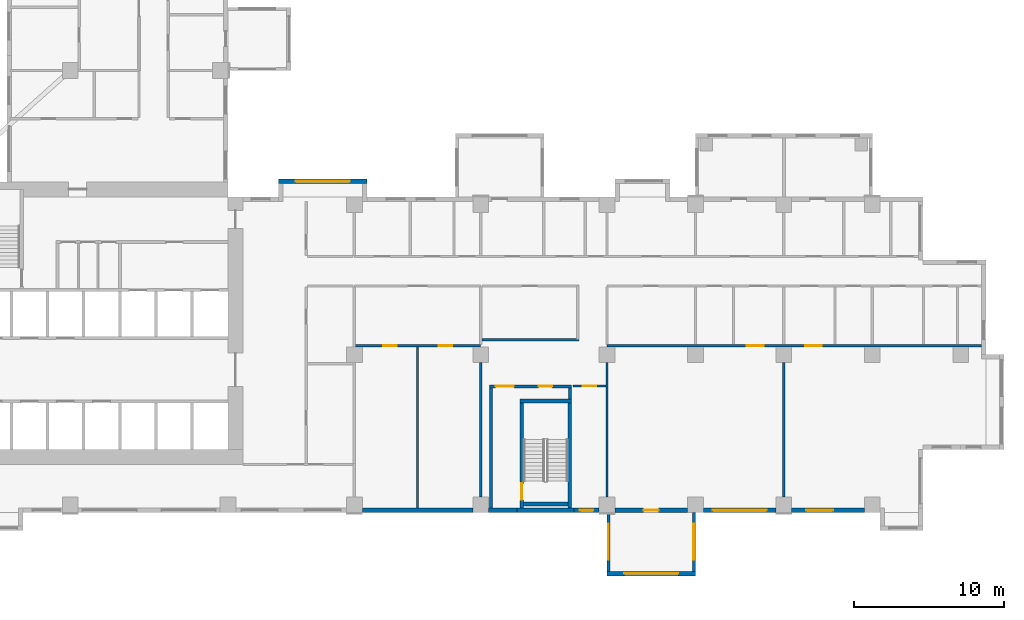
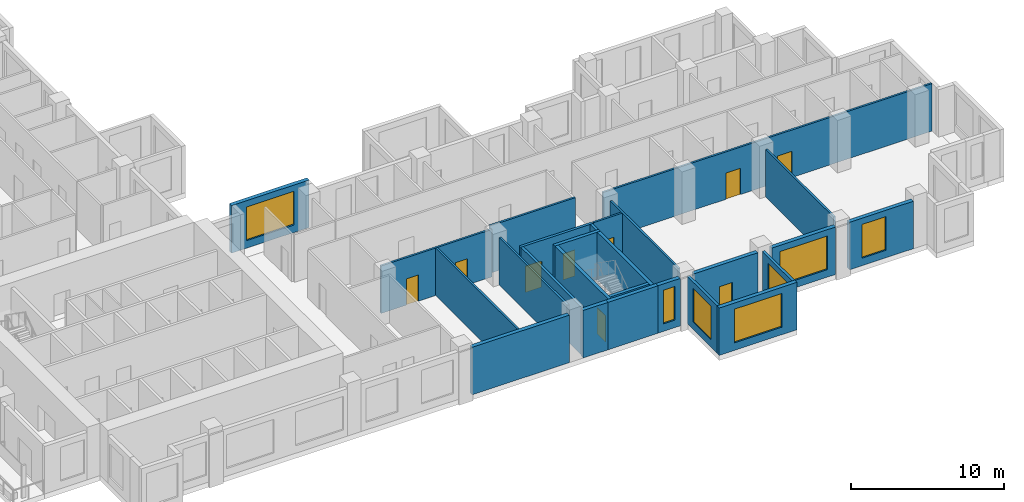
# One storey, part 4 of 15: 26 walls, 9 doors, 7 windows, 16 openings.
"""IFC4 building model written with IfcOpenShell, lengths in metres."""

from ifc_helpers import new_model, si_unit, direction, frame, frame_2d, origin, place, context, subcontext, project, spatial, rectangle, extrude, source, transform, mapped, material, layer, layer_set, type_object, element, fill, save


model = new_model("IFC4")

# Units and contexts
model_context = context("Model", 3, precision=1e-05, world=origin(), true_north=direction((0.0, 1.0)))
body_context = subcontext(model_context, "Body", "Model", "MODEL_VIEW")
ifc_project = project(units=[si_unit("LENGTHUNIT", "METRE"), si_unit("AREAUNIT", "SQUARE_METRE"), si_unit("VOLUMEUNIT", "CUBIC_METRE"), si_unit("PLANEANGLEUNIT", "RADIAN"), si_unit("MASSUNIT", "GRAM", prefix="KILO")], contexts=[model_context])

# Site, building, storey
site_placement = place(None, origin())
site = spatial("IfcSite", under=ifc_project, at=site_placement, CompositionType="ELEMENT")
building_placement = place(site_placement, origin())
building = spatial("IfcBuilding", under=site, at=building_placement, Name="Aurelian Terraces", CompositionType="ELEMENT")
storey_placement = place(building_placement, frame((0.0, 0.0, 120.3)))
storey = spatial("IfcBuildingStorey", under=building, at=storey_placement, Name="L26", CompositionType="ELEMENT", Elevation=120.3)

# Wall, opening, window
ifc_material_1 = material(Name="Terracotta rainscreen cladding", Category="masonry")
ifc_layer_1 = layer(ifc_material_1, 0.3)
ifc_layer_set_1 = layer_set([ifc_layer_1], Name="EW-300")
wall_type_1 = type_object("IfcWallType", Name="EW-300", PredefinedType="STANDARD", material=ifc_layer_set_1)
shared_shape_1 = source(origin(), body_context, "Body", "SweptSolid", [
    extrude(rectangle(XDim=5.88, YDim=0.3, at=frame_2d((2.94, 0.0))), origin(), (0.0, 0.0, 1.0), 3.8),
])
wall_1_placement = place(storey_placement, frame((30.24, 22.05, 0.0), z_axis=(0.0, 0.0, 1.0), x_axis=(-1.0, 0.0, 0.0)))
wall_1 = element("IfcWall", 1, at=wall_1_placement, inside=storey, type_object=wall_type_1, Name="Bay wall L26 F07.21", PredefinedType="STANDARD", context=body_context, shape_type="MappedRepresentation", body=[
    mapped(shared_shape_1, transform((0.0, 0.0, 0.0), scale=1.0)),
])
shared_shape_2 = source(origin(), body_context, "Body", "SweptSolid", [
    extrude(rectangle(XDim=3.6, YDim=2.7, at=frame_2d((1.8, 1.35))), frame((0.0, 0.16, 0.0), z_axis=(0.0, -1.0, 0.0), x_axis=(1.0, 0.0, 0.0)), (0.0, 0.0, 1.0), 0.32),
])
opening_1_placement = place(wall_1_placement, frame((1.14, 0.0, 0.6)))
opening_1 = element("IfcOpeningElement", 2, at=opening_1_placement, cuts=wall_1, Name="Opening W3627", PredefinedType="OPENING", context=body_context, shape_type="MappedRepresentation", body=[
    mapped(shared_shape_2, transform((0.0, 0.0, 0.0), scale=1.0)),
])
ifc_material_2 = material(Name="Clear glazing", Category="glass")
window_type_1 = type_object("IfcWindowType", Name="W-3600x2700", PartitioningType="SINGLE_PANEL", PredefinedType="WINDOW", material=ifc_material_2)
shared_shape_3 = source(origin(), body_context, "Body", "SweptSolid", [
    extrude(rectangle(XDim=3.6, YDim=2.7, at=frame_2d((1.8, 1.35))), frame((0.0, 0.03, 0.0), z_axis=(0.0, -1.0, 0.0), x_axis=(1.0, 0.0, 0.0)), (0.0, 0.0, 1.0), 0.06),
])
window_1_placement = place(opening_1_placement, origin())
window_1 = element("IfcWindow", 3, at=window_1_placement, inside=storey, type_object=window_type_1, Name="Window L26 L26-F07-21-0", OverallHeight=2.7, OverallWidth=3.6, PartitioningType="SINGLE_PANEL", PredefinedType="WINDOW", context=body_context, shape_type="MappedRepresentation", body=[
    mapped(shared_shape_3, transform((0.0, 0.0, 0.0), scale=1.0)),
])
fill(opening_1, window_1)

# Wall
ifc_material_3 = material(Name="Concrete fc' 40 MPa", Category="concrete")
ifc_layer_2 = layer(ifc_material_3, 0.3)
ifc_layer_set_2 = layer_set([ifc_layer_2], Name="STAIR BAY WALL 300")
wall_type_2 = type_object("IfcWallType", Name="STAIR BAY WALL 300", PredefinedType="SOLIDWALL", material=ifc_layer_set_2)
shared_shape_4 = source(origin(), body_context, "Body", "SweptSolid", [
    extrude(rectangle(XDim=3.8, YDim=0.3, at=frame_2d((1.9, 0.0))), origin(), (0.0, 0.0, 1.0), 3.8),
])
wall_2_placement = place(storey_placement, frame((40.2, 0.15, 0.0), z_axis=(0.0, 0.0, 1.0), x_axis=(1.0, 0.0, 0.0)))
element("IfcWall", 4, at=wall_2_placement, inside=storey, type_object=wall_type_2, Name="Stair bay wall L26 F01.6", PredefinedType="SOLIDWALL", context=body_context, shape_type="MappedRepresentation", body=[
    mapped(shared_shape_4, transform((0.0, 0.0, 0.0), scale=1.0)),
])

# Wall, opening, window
ifc_layer_3 = layer(ifc_material_3, 0.2)
ifc_layer_set_3 = layer_set([ifc_layer_3], Name="BOX BEARING WALL 200")
wall_type_3 = type_object("IfcWallType", Name="BOX BEARING WALL 200", PredefinedType="SOLIDWALL", material=ifc_layer_set_3)
shared_shape_5 = source(origin(), body_context, "Body", "SweptSolid", [
    extrude(rectangle(XDim=3.9, YDim=0.2, at=frame_2d((1.95, 0.0))), origin(), (0.0, 0.0, 1.0), 3.79),
])
wall_3_placement = place(storey_placement, frame((46.3, 0.0, 0.0), z_axis=(0.0, 0.0, 1.0), x_axis=(0.0, -1.0, 0.0)))
wall_3 = element("IfcWall", 5, at=wall_3_placement, inside=storey, type_object=wall_type_3, Name="Box return L26 J36.1", PredefinedType="SOLIDWALL", context=body_context, shape_type="MappedRepresentation", body=[
    mapped(shared_shape_5, transform((0.0, 0.0, 0.0), scale=1.0)),
])
shared_shape_6 = source(origin(), body_context, "Body", "SweptSolid", [
    extrude(rectangle(XDim=2.4, YDim=2.7, at=frame_2d((1.2, 1.35))), frame((0.0, 0.11, 0.0), z_axis=(0.0, -1.0, 0.0), x_axis=(1.0, 0.0, 0.0)), (0.0, 0.0, 1.0), 0.22),
])
opening_2_placement = place(wall_3_placement, frame((0.75, 0.0, 0.6)))
opening_2 = element("IfcOpeningElement", 6, at=opening_2_placement, cuts=wall_3, Name="Opening W2427", PredefinedType="OPENING", context=body_context, shape_type="MappedRepresentation", body=[
    mapped(shared_shape_6, transform((0.0, 0.0, 0.0), scale=1.0)),
])
window_type_2 = type_object("IfcWindowType", Name="W-2400x2700", PartitioningType="SINGLE_PANEL", PredefinedType="WINDOW", material=ifc_material_2)
shared_shape_7 = source(origin(), body_context, "Body", "SweptSolid", [
    extrude(rectangle(XDim=2.4, YDim=2.7, at=frame_2d((1.2, 1.35))), frame((0.0, 0.03, 0.0), z_axis=(0.0, -1.0, 0.0), x_axis=(1.0, 0.0, 0.0)), (0.0, 0.0, 1.0), 0.06),
])
window_2_placement = place(opening_2_placement, origin())
window_2 = element("IfcWindow", 7, at=window_2_placement, inside=storey, type_object=window_type_2, Name="Window L26 J36-S1", OverallHeight=2.7, OverallWidth=2.4, PartitioningType="SINGLE_PANEL", PredefinedType="WINDOW", context=body_context, shape_type="MappedRepresentation", body=[
    mapped(shared_shape_7, transform((0.0, 0.0, 0.0), scale=1.0)),
])
fill(opening_2, window_2)

wall_4_placement = place(storey_placement, frame((51.98, 0.0, 0.0), z_axis=(0.0, 0.0, 1.0), x_axis=(0.0, -1.0, 0.0)))
wall_4 = element("IfcWall", 8, at=wall_4_placement, inside=storey, type_object=wall_type_3, Name="Box return L26 J36.2", PredefinedType="SOLIDWALL", context=body_context, shape_type="MappedRepresentation", body=[
    mapped(shared_shape_5, transform((0.0, 0.0, 0.0), scale=1.0)),
])
opening_3_placement = place(wall_4_placement, frame((0.75, 0.0, 0.6)))
opening_3 = element("IfcOpeningElement", 9, at=opening_3_placement, cuts=wall_4, Name="Opening W2427", PredefinedType="OPENING", context=body_context, shape_type="MappedRepresentation", body=[
    mapped(shared_shape_6, transform((0.0, 0.0, 0.0), scale=1.0)),
])
window_3_placement = place(opening_3_placement, origin())
window_3 = element("IfcWindow", 10, at=window_3_placement, inside=storey, type_object=window_type_2, Name="Window L26 J36-S2", OverallHeight=2.7, OverallWidth=2.4, PartitioningType="SINGLE_PANEL", PredefinedType="WINDOW", context=body_context, shape_type="MappedRepresentation", body=[
    mapped(shared_shape_7, transform((0.0, 0.0, 0.0), scale=1.0)),
])
fill(opening_3, window_3)

ifc_layer_4 = layer(ifc_material_3, 0.3)
ifc_layer_set_4 = layer_set([ifc_layer_4], Name="BOX BEARING WALL 300")
wall_type_4 = type_object("IfcWallType", Name="BOX BEARING WALL 300", PredefinedType="SOLIDWALL", material=ifc_layer_set_4)
shared_shape_8 = source(origin(), body_context, "Body", "SweptSolid", [
    extrude(rectangle(XDim=5.88, YDim=0.3, at=frame_2d((2.94, 0.0))), origin(), (0.0, 0.0, 1.0), 3.79),
])
wall_5_placement = place(storey_placement, frame((46.2, -4.05, 0.0), z_axis=(0.0, 0.0, 1.0), x_axis=(1.0, 0.0, 0.0)))
wall_5 = element("IfcWall", 11, at=wall_5_placement, inside=storey, type_object=wall_type_4, Name="Box wall L26 J36", PredefinedType="SOLIDWALL", context=body_context, shape_type="MappedRepresentation", body=[
    mapped(shared_shape_8, transform((0.0, 0.0, 0.0), scale=1.0)),
])
opening_4_placement = place(wall_5_placement, frame((1.14, 0.0, 0.6)))
opening_4 = element("IfcOpeningElement", 12, at=opening_4_placement, cuts=wall_5, Name="Opening W3627", PredefinedType="OPENING", context=body_context, shape_type="MappedRepresentation", body=[
    mapped(shared_shape_2, transform((0.0, 0.0, 0.0), scale=1.0)),
])
window_4_placement = place(opening_4_placement, origin())
window_4 = element("IfcWindow", 13, at=window_4_placement, inside=storey, type_object=window_type_1, Name="Window L26 J36-F1", OverallHeight=2.7, OverallWidth=3.6, PartitioningType="SINGLE_PANEL", PredefinedType="WINDOW", context=body_context, shape_type="MappedRepresentation", body=[
    mapped(shared_shape_3, transform((0.0, 0.0, 0.0), scale=1.0)),
])
fill(opening_4, window_4)

# Wall
shared_shape_9 = source(origin(), body_context, "Body", "SweptSolid", [
    extrude(rectangle(XDim=7.35, YDim=0.3, at=frame_2d((3.675, 0.0))), origin(), (0.0, 0.0, 1.0), 3.8),
])
wall_6_placement = place(storey_placement, frame((29.925, 0.15, 0.0), z_axis=(0.0, 0.0, 1.0), x_axis=(1.0, 0.0, 0.0)))
element("IfcWall", 14, at=wall_6_placement, inside=storey, type_object=wall_type_1, Name="External wall L26 F01.5", PredefinedType="STANDARD", context=body_context, shape_type="MappedRepresentation", body=[
    mapped(shared_shape_9, transform((0.0, 0.0, 0.0), scale=1.0)),
])

# Wall, opening, door
shared_shape_10 = source(origin(), body_context, "Body", "SweptSolid", [
    extrude(rectangle(XDim=4.83, YDim=0.3, at=frame_2d((2.415, 0.0))), origin(), (0.0, 0.0, 1.0), 3.8),
])
wall_7_placement = place(storey_placement, frame((46.725, 0.15, 0.0), z_axis=(0.0, 0.0, 1.0), x_axis=(1.0, 0.0, 0.0)))
wall_7 = element("IfcWall", 15, at=wall_7_placement, inside=storey, type_object=wall_type_1, Name="External wall L26 F01.7", PredefinedType="STANDARD", context=body_context, shape_type="MappedRepresentation", body=[
    mapped(shared_shape_10, transform((0.0, 0.0, 0.0), scale=1.0)),
])
shared_shape_11 = source(origin(), body_context, "Body", "SweptSolid", [
    extrude(rectangle(XDim=1.0, YDim=2.1, at=frame_2d((0.5, 1.05))), frame((0.0, 0.16, 0.0), z_axis=(0.0, -1.0, 0.0), x_axis=(1.0, 0.0, 0.0)), (0.0, 0.0, 1.0), 0.32),
])
opening_5_placement = place(wall_7_placement, frame((1.915, 0.0, 0.0)))
opening_5 = element("IfcOpeningElement", 16, at=opening_5_placement, cuts=wall_7, Name="Opening 826001", PredefinedType="OPENING", context=body_context, shape_type="MappedRepresentation", body=[
    mapped(shared_shape_11, transform((0.0, 0.0, 0.0), scale=1.0)),
])
ifc_material_4 = material(Name="Timber door leaf", Category="wood")
door_type_1 = type_object("IfcDoorType", Name="Room door 1000x2100 left", OperationType="SINGLE_SWING_LEFT", PredefinedType="DOOR", material=ifc_material_4)
shared_shape_12 = source(origin(), body_context, "Body", "SweptSolid", [
    extrude(rectangle(XDim=1.0, YDim=2.1, at=frame_2d((0.5, 1.05))), frame((0.0, 0.025, 0.0), z_axis=(0.0, -1.0, 0.0), x_axis=(1.0, 0.0, 0.0)), (0.0, 0.0, 1.0), 0.05),
])
door_1_placement = place(opening_5_placement, origin())
door_1 = element("IfcDoor", 17, at=door_1_placement, inside=storey, type_object=door_type_1, Name="Door 826001", OperationType="SINGLE_SWING_LEFT", OverallHeight=2.1, OverallWidth=1.0, PredefinedType="DOOR", context=body_context, shape_type="MappedRepresentation", body=[
    mapped(shared_shape_12, transform((0.0, 0.0, 0.0), scale=1.0)),
])
fill(opening_5, door_1)

# Wall, opening, window
wall_8_placement = place(storey_placement, frame((52.605, 0.15, 0.0), z_axis=(0.0, 0.0, 1.0), x_axis=(1.0, 0.0, 0.0)))
wall_8 = element("IfcWall", 18, at=wall_8_placement, inside=storey, type_object=wall_type_1, Name="External wall L26 F01.8", PredefinedType="STANDARD", context=body_context, shape_type="MappedRepresentation", body=[
    mapped(shared_shape_10, transform((0.0, 0.0, 0.0), scale=1.0)),
])
opening_6_placement = place(wall_8_placement, frame((0.615, 0.0, 0.6)))
opening_6 = element("IfcOpeningElement", 19, at=opening_6_placement, cuts=wall_8, Name="Opening W3627", PredefinedType="OPENING", context=body_context, shape_type="MappedRepresentation", body=[
    mapped(shared_shape_2, transform((0.0, 0.0, 0.0), scale=1.0)),
])
window_5_placement = place(opening_6_placement, origin())
window_5 = element("IfcWindow", 20, at=window_5_placement, inside=storey, type_object=window_type_1, Name="Window L26 L26-F01-08-0", OverallHeight=2.7, OverallWidth=3.6, PartitioningType="SINGLE_PANEL", PredefinedType="WINDOW", context=body_context, shape_type="MappedRepresentation", body=[
    mapped(shared_shape_3, transform((0.0, 0.0, 0.0), scale=1.0)),
])
fill(opening_6, window_5)

wall_9_placement = place(storey_placement, frame((58.485, 0.15, 0.0), z_axis=(0.0, 0.0, 1.0), x_axis=(1.0, 0.0, 0.0)))
wall_9 = element("IfcWall", 21, at=wall_9_placement, inside=storey, type_object=wall_type_1, Name="External wall L26 F01.9", PredefinedType="STANDARD", context=body_context, shape_type="MappedRepresentation", body=[
    mapped(shared_shape_10, transform((0.0, 0.0, 0.0), scale=1.0)),
])
shared_shape_13 = source(origin(), body_context, "Body", "SweptSolid", [
    extrude(rectangle(XDim=1.8, YDim=2.7, at=frame_2d((0.9, 1.35))), frame((0.0, 0.16, 0.0), z_axis=(0.0, -1.0, 0.0), x_axis=(1.0, 0.0, 0.0)), (0.0, 0.0, 1.0), 0.32),
])
opening_7_placement = place(wall_9_placement, frame((0.9525, 0.0, 0.6)))
opening_7 = element("IfcOpeningElement", 22, at=opening_7_placement, cuts=wall_9, Name="Opening W1827", PredefinedType="OPENING", context=body_context, shape_type="MappedRepresentation", body=[
    mapped(shared_shape_13, transform((0.0, 0.0, 0.0), scale=1.0)),
])
window_type_3 = type_object("IfcWindowType", Name="W-1800x2700", PartitioningType="SINGLE_PANEL", PredefinedType="WINDOW", material=ifc_material_2)
shared_shape_14 = source(origin(), body_context, "Body", "SweptSolid", [
    extrude(rectangle(XDim=1.8, YDim=2.7, at=frame_2d((0.9, 1.35))), frame((0.0, 0.03, 0.0), z_axis=(0.0, -1.0, 0.0), x_axis=(1.0, 0.0, 0.0)), (0.0, 0.0, 1.0), 0.06),
])
window_6_placement = place(opening_7_placement, origin())
window_6 = element("IfcWindow", 23, at=window_6_placement, inside=storey, type_object=window_type_3, Name="Window L26 L26-F01-09-0", OverallHeight=2.7, OverallWidth=1.8, PartitioningType="SINGLE_PANEL", PredefinedType="WINDOW", context=body_context, shape_type="MappedRepresentation", body=[
    mapped(shared_shape_14, transform((0.0, 0.0, 0.0), scale=1.0)),
])
fill(opening_7, window_6)

shared_shape_15 = source(origin(), body_context, "Body", "SweptSolid", [
    extrude(rectangle(XDim=1.675, YDim=0.3, at=frame_2d((0.8375, 0.0))), origin(), (0.0, 0.0, 1.0), 3.8),
])
wall_10_placement = place(storey_placement, frame((44.0, 0.15, 0.0), z_axis=(0.0, 0.0, 1.0), x_axis=(1.0, 0.0, 0.0)))
wall_10 = element("IfcWall", 24, at=wall_10_placement, inside=storey, type_object=wall_type_1, Name="External wall L26 F01.6", PredefinedType="STANDARD", context=body_context, shape_type="MappedRepresentation", body=[
    mapped(shared_shape_15, transform((0.0, 0.0, 0.0), scale=1.0)),
])
shared_shape_16 = source(origin(), body_context, "Body", "SweptSolid", [
    extrude(rectangle(XDim=0.9, YDim=2.7, at=frame_2d((0.45, 1.35))), frame((0.0, 0.16, 0.0), z_axis=(0.0, -1.0, 0.0), x_axis=(1.0, 0.0, 0.0)), (0.0, 0.0, 1.0), 0.32),
])
opening_8_placement = place(wall_10_placement, frame((0.3875, 0.0, 0.6)))
opening_8 = element("IfcOpeningElement", 25, at=opening_8_placement, cuts=wall_10, Name="Opening W0927", PredefinedType="OPENING", context=body_context, shape_type="MappedRepresentation", body=[
    mapped(shared_shape_16, transform((0.0, 0.0, 0.0), scale=1.0)),
])
window_type_4 = type_object("IfcWindowType", Name="W-900x2700", PartitioningType="SINGLE_PANEL", PredefinedType="WINDOW", material=ifc_material_2)
shared_shape_17 = source(origin(), body_context, "Body", "SweptSolid", [
    extrude(rectangle(XDim=0.9, YDim=2.7, at=frame_2d((0.45, 1.35))), frame((0.0, 0.03, 0.0), z_axis=(0.0, -1.0, 0.0), x_axis=(1.0, 0.0, 0.0)), (0.0, 0.0, 1.0), 0.06),
])
window_7_placement = place(opening_8_placement, origin())
window_7 = element("IfcWindow", 26, at=window_7_placement, inside=storey, type_object=window_type_4, Name="Window L26 L26-F01-06-P2", OverallHeight=2.7, OverallWidth=0.9, PartitioningType="SINGLE_PANEL", PredefinedType="WINDOW", context=body_context, shape_type="MappedRepresentation", body=[
    mapped(shared_shape_17, transform((0.0, 0.0, 0.0), scale=1.0)),
])
fill(opening_8, window_7)

# Wall
shared_shape_18 = source(origin(), body_context, "Body", "SweptSolid", [
    extrude(rectangle(XDim=1.875, YDim=0.3, at=frame_2d((0.9375, 0.0))), origin(), (0.0, 0.0, 1.0), 3.8),
])
wall_11_placement = place(storey_placement, frame((38.325, 0.15, 0.0), z_axis=(0.0, 0.0, 1.0), x_axis=(1.0, 0.0, 0.0)))
element("IfcWall", 27, at=wall_11_placement, inside=storey, type_object=wall_type_1, Name="External wall L26 F01.6", PredefinedType="STANDARD", context=body_context, shape_type="MappedRepresentation", body=[
    mapped(shared_shape_18, transform((0.0, 0.0, 0.0), scale=1.0)),
])

# Wall, opening, door
ifc_layer_5 = layer(ifc_material_3, 0.25)
ifc_layer_set_5 = layer_set([ifc_layer_5], Name="Stair enclosure wall 250")
wall_type_5 = type_object("IfcWallType", Name="Stair enclosure wall 250", PredefinedType="SOLIDWALL", material=ifc_layer_set_5)
shared_shape_19 = source(origin(), body_context, "Body", "SweptSolid", [
    extrude(rectangle(XDim=7.0, YDim=0.25, at=frame_2d((3.5, 0.0))), origin(), (0.0, 0.0, 1.0), 3.8),
])
wall_12_placement = place(storey_placement, frame((40.525, 0.3, 0.0), z_axis=(0.0, 0.0, 1.0), x_axis=(0.0, 1.0, 0.0)))
wall_12 = element("IfcWall", 28, at=wall_12_placement, inside=storey, type_object=wall_type_5, Name="L26 core wall ST-S2-W", PredefinedType="SOLIDWALL", context=body_context, shape_type="MappedRepresentation", body=[
    mapped(shared_shape_19, transform((0.0, 0.0, 0.0), scale=1.0)),
])
shared_shape_20 = source(origin(), body_context, "Body", "SweptSolid", [
    extrude(rectangle(XDim=1.1, YDim=2.1, at=frame_2d((0.55, 1.05))), frame((0.0, 0.135, 0.0), z_axis=(0.0, -1.0, 0.0), x_axis=(1.0, 0.0, 0.0)), (0.0, 0.0, 1.0), 0.27),
])
opening_9_placement = place(wall_12_placement, frame((0.55, 0.0, 0.0)))
opening_9 = element("IfcOpeningElement", 29, at=opening_9_placement, cuts=wall_12, Name="Opening 62915", PredefinedType="OPENING", context=body_context, shape_type="MappedRepresentation", body=[
    mapped(shared_shape_20, transform((0.0, 0.0, 0.0), scale=1.0)),
])
ifc_material_5 = material(Name="Steel door leaf", Category="steel")
door_type_2 = type_object("IfcDoorType", Name="Core fire door 1100x2100", OperationType="SINGLE_SWING_LEFT", PredefinedType="DOOR", material=ifc_material_5)
shared_shape_21 = source(origin(), body_context, "Body", "SweptSolid", [
    extrude(rectangle(XDim=1.1, YDim=2.1, at=frame_2d((0.55, 1.05))), frame((0.0, 0.025, 0.0), z_axis=(0.0, -1.0, 0.0), x_axis=(1.0, 0.0, 0.0)), (0.0, 0.0, 1.0), 0.05),
])
door_2_placement = place(opening_9_placement, origin())
door_2 = element("IfcDoor", 30, at=door_2_placement, inside=storey, type_object=door_type_2, Name="Stair door 62915", OperationType="SINGLE_SWING_LEFT", OverallHeight=2.1, OverallWidth=1.1, PredefinedType="DOOR", context=body_context, shape_type="MappedRepresentation", body=[
    mapped(shared_shape_21, transform((0.0, 0.0, 0.0), scale=1.0)),
])
fill(opening_9, door_2)

# Walls
wall_13_placement = place(storey_placement, frame((43.725, 0.3, 0.0), z_axis=(0.0, 0.0, 1.0), x_axis=(0.0, 1.0, 0.0)))
element("IfcWall", 31, at=wall_13_placement, inside=storey, type_object=wall_type_5, Name="L26 core wall ST-S2-E", PredefinedType="SOLIDWALL", context=body_context, shape_type="MappedRepresentation", body=[
    mapped(shared_shape_19, transform((0.0, 0.0, 0.0), scale=1.0)),
])
shared_shape_22 = source(origin(), body_context, "Body", "SweptSolid", [
    extrude(rectangle(XDim=3.45, YDim=0.25, at=frame_2d((1.725, 0.0))), origin(), (0.0, 0.0, 1.0), 3.8),
])
wall_14_placement = place(storey_placement, frame((40.4, 7.425, 0.0), z_axis=(0.0, 0.0, 1.0), x_axis=(1.0, 0.0, 0.0)))
element("IfcWall", 32, at=wall_14_placement, inside=storey, type_object=wall_type_5, Name="L26 core wall ST-S2-N", PredefinedType="SOLIDWALL", context=body_context, shape_type="MappedRepresentation", body=[
    mapped(shared_shape_22, transform((0.0, 0.0, 0.0), scale=1.0)),
])
shared_shape_23 = source(origin(), body_context, "Body", "SweptSolid", [
    extrude(rectangle(XDim=2.95, YDim=0.25, at=frame_2d((1.475, 0.0))), origin(), (0.0, 0.0, 1.0), 3.8),
])
wall_15_placement = place(storey_placement, frame((40.65, 0.575, 0.0), z_axis=(0.0, 0.0, 1.0), x_axis=(1.0, 0.0, 0.0)))
element("IfcWall", 33, at=wall_15_placement, inside=storey, type_object=wall_type_5, Name="L26 core wall ST-S2-SS", PredefinedType="SOLIDWALL", context=body_context, shape_type="MappedRepresentation", body=[
    mapped(shared_shape_23, transform((0.0, 0.0, 0.0), scale=1.0)),
])
ifc_material_6 = material(Name="Gypsum board on steel studs", Category="steel")
ifc_layer_6 = layer(ifc_material_6, 0.2)
ifc_layer_set_6 = layer_set([ifc_layer_6], Name="Core partition 200")
wall_type_6 = type_object("IfcWallType", Name="Core partition 200", PredefinedType="PARTITIONING", material=ifc_layer_set_6)
shared_shape_24 = source(origin(), body_context, "Body", "SweptSolid", [
    extrude(rectangle(XDim=8.0, YDim=0.2, at=frame_2d((4.0, 0.0))), origin(), (0.0, 0.0, 1.0), 3.8),
])
wall_16_placement = place(storey_placement, frame((38.5, 0.3, 0.0), z_axis=(0.0, 0.0, 1.0), x_axis=(0.0, 1.0, 0.0)))
element("IfcWall", 34, at=wall_16_placement, inside=storey, type_object=wall_type_6, Name="L26 core wall ST-S2-VW", PredefinedType="PARTITIONING", context=body_context, shape_type="MappedRepresentation", body=[
    mapped(shared_shape_24, transform((0.0, 0.0, 0.0), scale=1.0)),
])

# Wall, openings, doors
shared_shape_25 = source(origin(), body_context, "Body", "SweptSolid", [
    extrude(rectangle(XDim=5.45, YDim=0.2, at=frame_2d((2.725, 0.0))), origin(), (0.0, 0.0, 1.0), 3.8),
])
wall_17_placement = place(storey_placement, frame((38.4, 8.4, 0.0), z_axis=(0.0, 0.0, 1.0), x_axis=(1.0, 0.0, 0.0)))
wall_17 = element("IfcWall", 35, at=wall_17_placement, inside=storey, type_object=wall_type_6, Name="L26 core wall ST-S2-BN", PredefinedType="PARTITIONING", context=body_context, shape_type="MappedRepresentation", body=[
    mapped(shared_shape_25, transform((0.0, 0.0, 0.0), scale=1.0)),
])
shared_shape_26 = source(origin(), body_context, "Body", "SweptSolid", [
    extrude(rectangle(XDim=1.2, YDim=2.1, at=frame_2d((0.6, 1.05))), frame((0.0, 0.11, 0.0), z_axis=(0.0, -1.0, 0.0), x_axis=(1.0, 0.0, 0.0)), (0.0, 0.0, 1.0), 0.22),
])
opening_10_placement = place(wall_17_placement, frame((0.4, 0.0, 0.0)))
opening_10 = element("IfcOpeningElement", 36, at=opening_10_placement, cuts=wall_17, Name="Opening 62916", PredefinedType="OPENING", context=body_context, shape_type="MappedRepresentation", body=[
    mapped(shared_shape_26, transform((0.0, 0.0, 0.0), scale=1.0)),
])
shared_shape_27 = source(origin(), body_context, "Body", "SweptSolid", [
    extrude(rectangle(XDim=0.9, YDim=2.1, at=frame_2d((0.45, 1.05))), frame((0.0, 0.11, 0.0), z_axis=(0.0, -1.0, 0.0), x_axis=(1.0, 0.0, 0.0)), (0.0, 0.0, 1.0), 0.22),
])
opening_11_placement = place(wall_17_placement, frame((3.25, 0.0, 0.0)))
opening_11 = element("IfcOpeningElement", 37, at=opening_11_placement, cuts=wall_17, Name="Opening 62917", PredefinedType="OPENING", context=body_context, shape_type="MappedRepresentation", body=[
    mapped(shared_shape_27, transform((0.0, 0.0, 0.0), scale=1.0)),
])
door_type_3 = type_object("IfcDoorType", Name="Core riser door 900x2100", OperationType="SINGLE_SWING_LEFT", PredefinedType="DOOR", material=ifc_material_5)
shared_shape_28 = source(origin(), body_context, "Body", "SweptSolid", [
    extrude(rectangle(XDim=0.9, YDim=2.1, at=frame_2d((0.45, 1.05))), frame((0.0, 0.025, 0.0), z_axis=(0.0, -1.0, 0.0), x_axis=(1.0, 0.0, 0.0)), (0.0, 0.0, 1.0), 0.05),
])
door_3_placement = place(opening_11_placement, origin())
door_3 = element("IfcDoor", 38, at=door_3_placement, inside=storey, type_object=door_type_3, Name="Riser door 62917", OperationType="SINGLE_SWING_LEFT", OverallHeight=2.1, OverallWidth=0.9, PredefinedType="DOOR", context=body_context, shape_type="MappedRepresentation", body=[
    mapped(shared_shape_28, transform((0.0, 0.0, 0.0), scale=1.0)),
])
fill(opening_11, door_3)
door_type_4 = type_object("IfcDoorType", Name="Core fire door 1200x2100 right", OperationType="SINGLE_SWING_RIGHT", PredefinedType="DOOR", material=ifc_material_5)
shared_shape_29 = source(origin(), body_context, "Body", "SweptSolid", [
    extrude(rectangle(XDim=1.2, YDim=2.1, at=frame_2d((0.6, 1.05))), frame((0.0, 0.025, 0.0), z_axis=(0.0, -1.0, 0.0), x_axis=(1.0, 0.0, 0.0)), (0.0, 0.0, 1.0), 0.05),
])
door_4_placement = place(opening_10_placement, origin())
door_4 = element("IfcDoor", 39, at=door_4_placement, inside=storey, type_object=door_type_4, Name="Vestibule door 62916", OperationType="SINGLE_SWING_RIGHT", OverallHeight=2.1, OverallWidth=1.2, PredefinedType="DOOR", context=body_context, shape_type="MappedRepresentation", body=[
    mapped(shared_shape_29, transform((0.0, 0.0, 0.0), scale=1.0)),
])
fill(opening_10, door_4)

# Walls
shared_shape_30 = source(origin(), body_context, "Body", "SweptSolid", [
    extrude(rectangle(XDim=0.75, YDim=0.2, at=frame_2d((0.375, 0.0))), origin(), (0.0, 0.0, 1.0), 3.8),
])
wall_18_placement = place(storey_placement, frame((43.75, 7.55, 0.0), z_axis=(0.0, 0.0, 1.0), x_axis=(0.0, 1.0, 0.0)))
element("IfcWall", 40, at=wall_18_placement, inside=storey, type_object=wall_type_6, Name="L26 core wall ST-S2-RE", PredefinedType="PARTITIONING", context=body_context, shape_type="MappedRepresentation", body=[
    mapped(shared_shape_30, transform((0.0, 0.0, 0.0), scale=1.0)),
])
ifc_layer_7 = layer(ifc_material_6, 0.15)
ifc_layer_set_7 = layer_set([ifc_layer_7], Name="Partition 150")
wall_type_7 = type_object("IfcWallType", Name="Partition 150", PredefinedType="PARTITIONING", material=ifc_layer_set_7)
shared_shape_31 = source(origin(), body_context, "Body", "SweptSolid", [
    extrude(rectangle(XDim=6.45, YDim=0.15, at=frame_2d((3.225, 0.0))), origin(), (0.0, 0.0, 1.0), 3.8),
])
wall_19_placement = place(storey_placement, frame((37.875, 11.5, 0.0), z_axis=(0.0, 0.0, 1.0), x_axis=(1.0, 0.0, 0.0)))
element("IfcWall", 41, at=wall_19_placement, inside=storey, type_object=wall_type_7, Name="Partition", PredefinedType="PARTITIONING", context=body_context, shape_type="MappedRepresentation", body=[
    mapped(shared_shape_31, transform((0.0, 0.0, 0.0), scale=1.0)),
])

# Wall, openings, doors
shared_shape_32 = source(origin(), body_context, "Body", "SweptSolid", [
    extrude(rectangle(XDim=8.4, YDim=0.15, at=frame_2d((4.2, 0.0))), origin(), (0.0, 0.0, 1.0), 3.8),
])
wall_20_placement = place(storey_placement, frame((37.8, 11.1, 0.0), z_axis=(0.0, 0.0, 1.0), x_axis=(-1.0, 0.0, 0.0)))
wall_20 = element("IfcWall", 42, at=wall_20_placement, inside=storey, type_object=wall_type_7, Name="Partition", PredefinedType="PARTITIONING", context=body_context, shape_type="MappedRepresentation", body=[
    mapped(shared_shape_32, transform((0.0, 0.0, 0.0), scale=1.0)),
])
shared_shape_33 = source(origin(), body_context, "Body", "SweptSolid", [
    extrude(rectangle(XDim=0.9, YDim=2.1, at=frame_2d((0.45, 1.05))), frame((0.0, 0.085, 0.0), z_axis=(0.0, -1.0, 0.0), x_axis=(1.0, 0.0, 0.0)), (0.0, 0.0, 1.0), 0.17),
])
opening_12_placement = place(wall_20_placement, frame((5.575, 0.0, 0.0)))
opening_12 = element("IfcOpeningElement", 43, at=opening_12_placement, cuts=wall_20, Name="Opening 726008", PredefinedType="OPENING", context=body_context, shape_type="MappedRepresentation", body=[
    mapped(shared_shape_33, transform((0.0, 0.0, 0.0), scale=1.0)),
])
opening_13_placement = place(wall_20_placement, frame((1.875, 0.0, 0.0)))
opening_13 = element("IfcOpeningElement", 44, at=opening_13_placement, cuts=wall_20, Name="Opening 726009", PredefinedType="OPENING", context=body_context, shape_type="MappedRepresentation", body=[
    mapped(shared_shape_33, transform((0.0, 0.0, 0.0), scale=1.0)),
])
door_type_5 = type_object("IfcDoorType", Name="Room door 900x2100 right", OperationType="SINGLE_SWING_RIGHT", PredefinedType="DOOR", material=ifc_material_4)
door_5_placement = place(opening_12_placement, origin())
door_5 = element("IfcDoor", 45, at=door_5_placement, inside=storey, type_object=door_type_5, Name="Door 726008", OperationType="SINGLE_SWING_RIGHT", OverallHeight=2.1, OverallWidth=0.9, PredefinedType="DOOR", context=body_context, shape_type="MappedRepresentation", body=[
    mapped(shared_shape_28, transform((0.0, 0.0, 0.0), scale=1.0)),
])
fill(opening_12, door_5)
door_type_6 = type_object("IfcDoorType", Name="Room door 900x2100 left", OperationType="SINGLE_SWING_LEFT", PredefinedType="DOOR", material=ifc_material_4)
door_6_placement = place(opening_13_placement, origin())
door_6 = element("IfcDoor", 46, at=door_6_placement, inside=storey, type_object=door_type_6, Name="Door 726009", OperationType="SINGLE_SWING_LEFT", OverallHeight=2.1, OverallWidth=0.9, PredefinedType="DOOR", context=body_context, shape_type="MappedRepresentation", body=[
    mapped(shared_shape_28, transform((0.0, 0.0, 0.0), scale=1.0)),
])
fill(opening_13, door_6)

shared_shape_34 = source(origin(), body_context, "Body", "SweptSolid", [
    extrude(rectangle(XDim=24.9, YDim=0.15, at=frame_2d((12.45, 0.0))), origin(), (0.0, 0.0, 1.0), 3.8),
])
wall_21_placement = place(storey_placement, frame((71.1, 11.1, 0.0), z_axis=(0.0, 0.0, 1.0), x_axis=(-1.0, 0.0, 0.0)))
wall_21 = element("IfcWall", 47, at=wall_21_placement, inside=storey, type_object=wall_type_7, Name="Partition", PredefinedType="PARTITIONING", context=body_context, shape_type="MappedRepresentation", body=[
    mapped(shared_shape_34, transform((0.0, 0.0, 0.0), scale=1.0)),
])
shared_shape_35 = source(origin(), body_context, "Body", "SweptSolid", [
    extrude(rectangle(XDim=1.1, YDim=2.1, at=frame_2d((0.55, 1.05))), frame((0.0, 0.085, 0.0), z_axis=(0.0, -1.0, 0.0), x_axis=(1.0, 0.0, 0.0)), (0.0, 0.0, 1.0), 0.17),
])
opening_14_placement = place(wall_21_placement, frame((14.4928, 0.0, 0.0)))
opening_14 = element("IfcOpeningElement", 48, at=opening_14_placement, cuts=wall_21, Name="Opening 726011", PredefinedType="OPENING", context=body_context, shape_type="MappedRepresentation", body=[
    mapped(shared_shape_35, transform((0.0, 0.0, 0.0), scale=1.0)),
])
opening_15_placement = place(wall_21_placement, frame((10.6145, 0.0, 0.0)))
opening_15 = element("IfcOpeningElement", 49, at=opening_15_placement, cuts=wall_21, Name="Opening 726015", PredefinedType="OPENING", context=body_context, shape_type="MappedRepresentation", body=[
    mapped(shared_shape_35, transform((0.0, 0.0, 0.0), scale=1.0)),
])
door_type_7 = type_object("IfcDoorType", Name="Room door 1100x2100 right", OperationType="SINGLE_SWING_RIGHT", PredefinedType="DOOR", material=ifc_material_4)
door_7_placement = place(opening_14_placement, origin())
door_7 = element("IfcDoor", 50, at=door_7_placement, inside=storey, type_object=door_type_7, Name="Door 726011", OperationType="SINGLE_SWING_RIGHT", OverallHeight=2.1, OverallWidth=1.1, PredefinedType="DOOR", context=body_context, shape_type="MappedRepresentation", body=[
    mapped(shared_shape_21, transform((0.0, 0.0, 0.0), scale=1.0)),
])
fill(opening_14, door_7)
door_8_placement = place(opening_15_placement, origin())
door_8 = element("IfcDoor", 51, at=door_8_placement, inside=storey, type_object=door_type_7, Name="Door 726015", OperationType="SINGLE_SWING_RIGHT", OverallHeight=2.1, OverallWidth=1.1, PredefinedType="DOOR", context=body_context, shape_type="MappedRepresentation", body=[
    mapped(shared_shape_21, transform((0.0, 0.0, 0.0), scale=1.0)),
])
fill(opening_15, door_8)

# Wall, opening, door
shared_shape_36 = source(origin(), body_context, "Body", "SweptSolid", [
    extrude(rectangle(XDim=2.2, YDim=0.15, at=frame_2d((1.1, 0.0))), origin(), (0.0, 0.0, 1.0), 3.8),
])
wall_22_placement = place(storey_placement, frame((46.125, 8.425, 0.0), z_axis=(0.0, 0.0, 1.0), x_axis=(-1.0, 0.0, 0.0)))
wall_22 = element("IfcWall", 52, at=wall_22_placement, inside=storey, type_object=wall_type_7, Name="Partition", PredefinedType="PARTITIONING", context=body_context, shape_type="MappedRepresentation", body=[
    mapped(shared_shape_36, transform((0.0, 0.0, 0.0), scale=1.0)),
])
opening_16_placement = place(wall_22_placement, frame((0.65, 0.0, 0.0)))
opening_16 = element("IfcOpeningElement", 53, at=opening_16_placement, cuts=wall_22, Name="Opening 726006", PredefinedType="OPENING", context=body_context, shape_type="MappedRepresentation", body=[
    mapped(shared_shape_33, transform((0.0, 0.0, 0.0), scale=1.0)),
])
door_9_placement = place(opening_16_placement, origin())
door_9 = element("IfcDoor", 54, at=door_9_placement, inside=storey, type_object=door_type_5, Name="Door 726006", OperationType="SINGLE_SWING_RIGHT", OverallHeight=2.1, OverallWidth=0.9, PredefinedType="DOOR", context=body_context, shape_type="MappedRepresentation", body=[
    mapped(shared_shape_28, transform((0.0, 0.0, 0.0), scale=1.0)),
])
fill(opening_16, door_9)

# Walls
shared_shape_37 = source(origin(), body_context, "Body", "SweptSolid", [
    extrude(rectangle(XDim=8.927, YDim=0.15, at=frame_2d((4.4635, 0.0))), origin(), (0.0, 0.0, 1.0), 3.8),
])
for number, where, z_axis, x_axis, name in (
    (55, (37.8, 1.049, 0.0), (0.0, 0.0, 1.0), (0.0, 1.0, 0.0), "Partition"),
    (56, (46.2, 1.049, 0.0), (0.0, 0.0, 1.0), (0.0, 1.0, 0.0), "Partition"),
    (57, (57.96, 1.049, 0.0), (0.0, 0.0, 1.0), (0.0, 1.0, 0.0), "Partition"),
):
    element("IfcWall", number, at=place(storey_placement, frame(where, z_axis=z_axis, x_axis=x_axis)), inside=storey, type_object=wall_type_7, Name=name, PredefinedType="PARTITIONING", context=body_context, shape_type="MappedRepresentation", body=[
        mapped(shared_shape_37, transform((0.0, 0.0, 0.0), scale=1.0)),
    ])
shared_shape_38 = source(origin(), body_context, "Body", "SweptSolid", [
    extrude(rectangle(XDim=10.725, YDim=0.15, at=frame_2d((5.3625, 0.0))), origin(), (0.0, 0.0, 1.0), 3.8),
])
wall_23_placement = place(storey_placement, frame((33.6, 0.3, 0.0), z_axis=(0.0, 0.0, 1.0), x_axis=(0.0, 1.0, 0.0)))
element("IfcWall", 58, at=wall_23_placement, inside=storey, type_object=wall_type_7, Name="Partition", PredefinedType="PARTITIONING", context=body_context, shape_type="MappedRepresentation", body=[
    mapped(shared_shape_38, transform((0.0, 0.0, 0.0), scale=1.0)),
])

save(model, "model.ifc")
